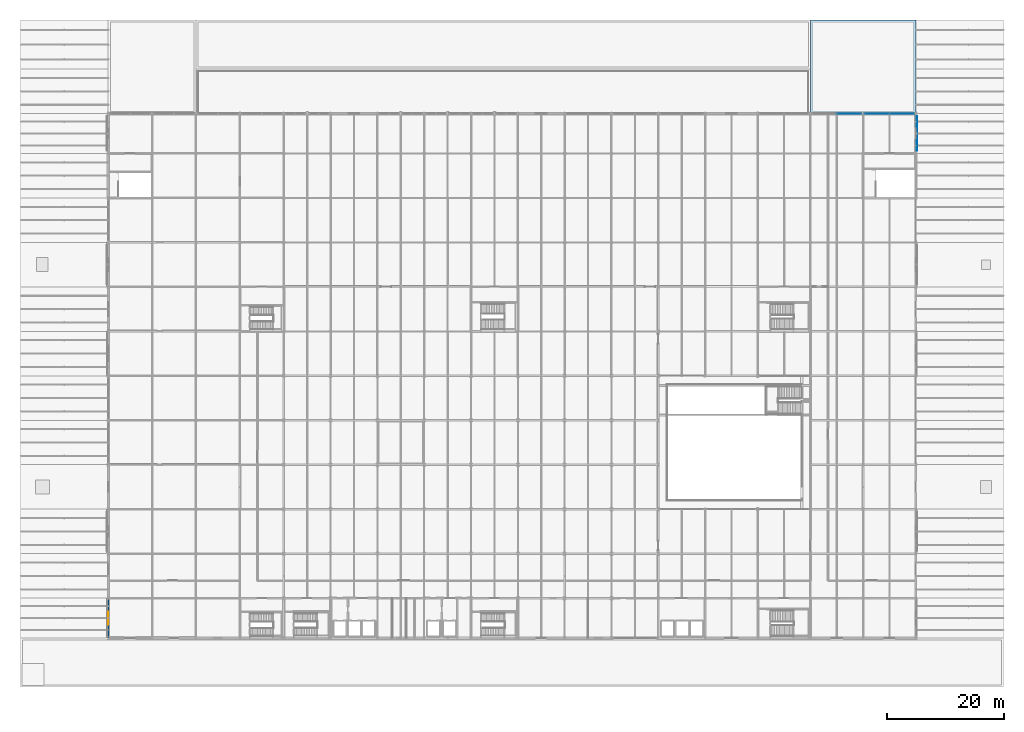
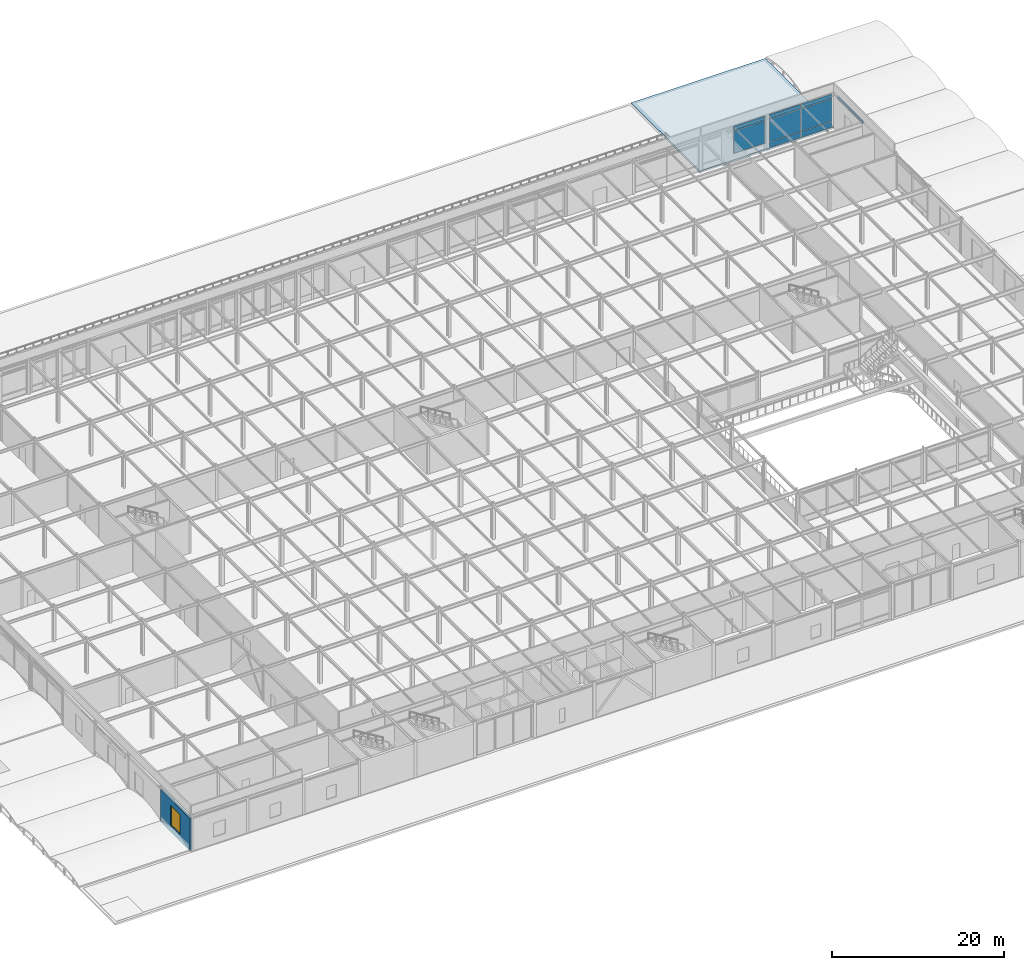
# One storey, part 92 of 113: 9 plates, 1 slab, 1 wall, 1 window, 1 opening, 2 elements without a shape of their own.
"""IFC4 building model written with IfcOpenShell, lengths in metres."""

from ifc_helpers import new_model, si_unit, direction, frame, frame_2d, origin, origin_2d, place, context, subcontext, project, spatial, polyline, rectangle, outline, extrude, material, layer, layer_set, type_object, element, fill, aggregate, save


model = new_model("IFC4")

# Units and contexts
model_context = context("Model", 3, precision=1e-05, world=origin(), true_north=direction((0.0, 1.0)))
body_context = subcontext(model_context, "Body", "Model", "MODEL_VIEW")
ifc_project = project(units=[si_unit("LENGTHUNIT", "METRE"), si_unit("AREAUNIT", "SQUARE_METRE"), si_unit("VOLUMEUNIT", "CUBIC_METRE"), si_unit("PLANEANGLEUNIT", "RADIAN"), si_unit("MASSUNIT", "GRAM", prefix="KILO")], contexts=[model_context])

# Site, building, storey
site_placement = place(None, origin())
site = spatial("IfcSite", under=ifc_project, at=site_placement, CompositionType="ELEMENT")
building_placement = place(site_placement, origin())
building = spatial("IfcBuilding", under=site, at=building_placement, Name="Shalkamar Park Central Library", CompositionType="ELEMENT")
storey_placement = place(building_placement, frame((0.0, 0.0, 5.39990234375)))
storey = spatial("IfcBuildingStorey", under=building, at=storey_placement, Name="L02", CompositionType="ELEMENT", Elevation=5.39990234375)

# Slab
ifc_material_1 = material(Name="Concrete C35/45", Category="concrete")
ifc_layer_1 = layer(ifc_material_1, 0.25)
ifc_layer_set_1 = layer_set([ifc_layer_1], Name="Concrete C35/45")
slab_type = type_object("IfcSlabType", Name="Flat Roof Slab 140", PredefinedType="ROOF", material=ifc_layer_set_1)
slab_placement = place(storey_placement, frame((0.0, 0.0, -0.25)))
element("IfcSlab", 1, at=slab_placement, inside=storey, type_object=slab_type, Name="Flat Roof Slab RF-L01-NE", PredefinedType="ROOF", context=body_context, shape_type="SweptSolid", body=[
    extrude(outline(polyline([(255.0, 338.0), (273.0, 338.0), (273.0, 354.0), (255.0, 354.0), (255.0, 338.0)])), origin(), (0.0, 0.0, 1.0), 0.25),
])

# Plate
ifc_material_2 = material(Name="Anodized bronze stepped frieze plate", Category="aluminium")
ifc_layer_2 = layer(ifc_material_2, 0.139892578125)
ifc_layer_set_2 = layer_set([ifc_layer_2], Name="PostmodernKeystoneFriezePlate_140")
plate_type_1 = type_object("IfcPlateType", Name="Postmodern Keystone Frieze Plate 140", PredefinedType="USERDEFINED", material=ifc_layer_set_2)
plate_1_placement = place(storey_placement, frame((273.2099609375, 334.60009765625, 4.16796875), z_axis=(0.0, 0.0, 1.0), x_axis=(1.0, 0.0, 0.0)))
element("IfcPlate", 2, at=plate_1_placement, inside=storey, type_object=plate_type_1, Name="Bronze Spandrel Frieze Plate L02-034", ObjectType="CLADDING", PredefinedType="USERDEFINED", context=body_context, shape_type="SweptSolid", body=[
    extrude(rectangle(XDim=0.139892578125, YDim=5.827880859375, at=origin_2d()), origin(), (0.0, 0.0, 1.0), 0.449951171875),
])

# Curtain wall, plates
ifc_material_3 = material(Name="Thermally broken aluminium and triple low-e curtain wall", Category="aluminium")
ifc_layer_3 = layer(ifc_material_3, 0.260009765625)
ifc_layer_set_3 = layer_set([ifc_layer_3], Name="UnitisedCurtainWall_34")
curtain_wall_type_1 = type_object("IfcCurtainWallType", Name="Unitised Curtain Wall 34", PredefinedType="USERDEFINED", material=ifc_layer_set_3)
curtain_wall_1_placement = place(storey_placement, origin())
curtain_wall_1 = element("IfcCurtainWall", 3, at=curtain_wall_1_placement, inside=storey, type_object=curtain_wall_type_1, Name="Unitised Curtain Wall CW-L02-038", ObjectType="UNITISED CURTAIN WALL", PredefinedType="USERDEFINED")
ifc_material_4 = material(Name="Triple-glazed solar-control glass", Category="glass")
ifc_layer_4 = layer(ifc_material_4, 0.031982421875)
ifc_layer_set_4 = layer_set([ifc_layer_4], Name="SolarControlVisionPanel_32")
plate_type_2 = type_object("IfcPlateType", Name="Solar Control Vision Panel 32", PredefinedType="CURTAIN_PANEL", material=ifc_layer_set_4)
plate_2_placement = place(storey_placement, frame((261.610595703125, 338.0, 0.93017578125), z_axis=(0.0, 0.0, 1.0), x_axis=(1.0, 0.0, 0.0)))
plate_2 = element("IfcPlate", 4, at=plate_2_placement, type_object=plate_type_2, Name="CW-34 panel 2.2", PredefinedType="CURTAIN_PANEL", context=body_context, shape_type="SweptSolid", body=[
    extrude(rectangle(XDim=4.1708984375, YDim=0.031982421875, at=origin_2d()), origin(), (0.0, 0.0, 1.0), 3.139892578125),
])
plate_3_placement = place(storey_placement, frame((261.610595703125, 338.0, 4.13037109375), z_axis=(0.0, 0.0, 1.0), x_axis=(1.0, 0.0, 0.0)))
plate_3 = element("IfcPlate", 5, at=plate_3_placement, type_object=plate_type_2, Name="CW-34 panel 2.3", PredefinedType="CURTAIN_PANEL", context=body_context, shape_type="SweptSolid", body=[
    extrude(rectangle(XDim=4.1708984375, YDim=0.031982421875, at=origin_2d()), origin(), (0.0, 0.0, 1.0), 0.659912109375),
])
aggregate(curtain_wall_1, [plate_2, plate_3])

ifc_layer_5 = layer(ifc_material_3, 0.2548828125)
ifc_layer_set_5 = layer_set([ifc_layer_5], Name="UnitisedCurtainWall_35")
curtain_wall_type_2 = type_object("IfcCurtainWallType", Name="Unitised Curtain Wall 35", PredefinedType="USERDEFINED", material=ifc_layer_set_5)
curtain_wall_2_placement = place(storey_placement, origin())
curtain_wall_2 = element("IfcCurtainWall", 6, at=curtain_wall_2_placement, inside=storey, type_object=curtain_wall_type_2, Name="Unitised Curtain Wall CW-L02-039", ObjectType="UNITISED CURTAIN WALL", PredefinedType="USERDEFINED")
ifc_material_5 = material(Name="Triple-glazed low-e safety glass", Category="glass")
ifc_layer_6 = layer(ifc_material_5, 0.0439453125)
ifc_layer_set_6 = layer_set([ifc_layer_6], Name="TripleGlazedVisionPanel_44")
plate_type_3 = type_object("IfcPlateType", Name="Triple Glazed Vision Panel 44", PredefinedType="CURTAIN_PANEL", material=ifc_layer_set_6)
plate_4_placement = place(storey_placement, frame((266.390869140625, 338.0, 0.06494140625), z_axis=(0.0, 0.0, 1.0), x_axis=(1.0, 0.0, 0.0)))
plate_4 = element("IfcPlate", 7, at=plate_4_placement, type_object=plate_type_3, Name="CW-35 panel 1.1", PredefinedType="CURTAIN_PANEL", context=body_context, shape_type="SweptSolid", body=[
    extrude(rectangle(XDim=4.16357421875, YDim=0.0439453125, at=origin_2d()), origin(), (0.0, 0.0, 1.0), 0.802490234375),
])
plate_5_placement = place(storey_placement, frame((266.390869140625, 338.0, 0.9326171875), z_axis=(0.0, 0.0, 1.0), x_axis=(1.0, 0.0, 0.0)))
plate_5 = element("IfcPlate", 8, at=plate_5_placement, type_object=plate_type_3, Name="CW-35 panel 1.2", PredefinedType="CURTAIN_PANEL", context=body_context, shape_type="SweptSolid", body=[
    extrude(rectangle(XDim=4.16357421875, YDim=0.0439453125, at=origin_2d()), origin(), (0.0, 0.0, 1.0), 3.135009765625),
])
plate_6_placement = place(storey_placement, frame((266.390869140625, 338.0, 4.13232421875), z_axis=(0.0, 0.0, 1.0), x_axis=(1.0, 0.0, 0.0)))
plate_6 = element("IfcPlate", 9, at=plate_6_placement, type_object=plate_type_3, Name="CW-35 panel 1.3", PredefinedType="CURTAIN_PANEL", context=body_context, shape_type="SweptSolid", body=[
    extrude(rectangle(XDim=4.16357421875, YDim=0.0439453125, at=origin_2d()), origin(), (0.0, 0.0, 1.0), 0.652587890625),
])
plate_7_placement = place(storey_placement, frame((270.63427734375, 338.0, 0.06494140625), z_axis=(0.0, 0.0, 1.0), x_axis=(1.0, 0.0, 0.0)))
plate_7 = element("IfcPlate", 10, at=plate_7_placement, type_object=plate_type_3, Name="CW-35 panel 2.1", PredefinedType="CURTAIN_PANEL", context=body_context, shape_type="SweptSolid", body=[
    extrude(rectangle(XDim=4.16357421875, YDim=0.0439453125, at=origin_2d()), origin(), (0.0, 0.0, 1.0), 0.802490234375),
])
plate_8_placement = place(storey_placement, frame((270.63427734375, 338.0, 0.9326171875), z_axis=(0.0, 0.0, 1.0), x_axis=(1.0, 0.0, 0.0)))
plate_8 = element("IfcPlate", 11, at=plate_8_placement, type_object=plate_type_3, Name="CW-35 panel 2.2", PredefinedType="CURTAIN_PANEL", context=body_context, shape_type="SweptSolid", body=[
    extrude(rectangle(XDim=4.16357421875, YDim=0.0439453125, at=origin_2d()), origin(), (0.0, 0.0, 1.0), 3.135009765625),
])
plate_9_placement = place(storey_placement, frame((270.63427734375, 338.0, 4.13232421875), z_axis=(0.0, 0.0, 1.0), x_axis=(1.0, 0.0, 0.0)))
plate_9 = element("IfcPlate", 12, at=plate_9_placement, type_object=plate_type_3, Name="CW-35 panel 2.3", PredefinedType="CURTAIN_PANEL", context=body_context, shape_type="SweptSolid", body=[
    extrude(rectangle(XDim=4.16357421875, YDim=0.0439453125, at=origin_2d()), origin(), (0.0, 0.0, 1.0), 0.652587890625),
])
aggregate(curtain_wall_2, [plate_4, plate_5, plate_6, plate_7, plate_8, plate_9])

# Wall, opening, window
ifc_material_6 = material(Name="Travertine insulated rainscreen", Category="masonry")
ifc_layer_7 = layer(ifc_material_6, 0.2900390625)
ifc_layer_set_7 = layer_set([ifc_layer_7], Name="TravertineTerracottaWall_290")
wall_type = type_object("IfcWallType", Name="Travertine Terracotta Wall 290", PredefinedType="SOLIDWALL", material=ifc_layer_set_7)
wall_placement = place(storey_placement, frame((135.0, 248.406005859375, 0.0), z_axis=(0.0, 0.0, 1.0), x_axis=(0.0, 1.0, 0.0)))
wall = element("IfcWall", 13, at=wall_placement, inside=storey, type_object=wall_type, Name="Exterior Facade Wall WL-EXT-L02-068", PredefinedType="SOLIDWALL", context=body_context, shape_type="SweptSolid", body=[
    extrude(rectangle(XDim=6.7880859375, YDim=0.2900390625, at=frame_2d((3.39404296875, 0.0))), origin(), (0.0, 0.0, 1.0), 4.6181640625),
])
opening_placement = place(wall_placement, frame((2.2939453125, 0.0, 0.949951171875)))
opening = element("IfcOpeningElement", 14, at=opening_placement, cuts=wall, Name="Opening WN-04", PredefinedType="OPENING", context=body_context, shape_type="SweptSolid", body=[
    extrude(rectangle(XDim=2.199951171875, YDim=2.800048828125, at=frame_2d((1.10009765625, 1.39990234375))), frame((0.0, 0.159912109375, 0.0), z_axis=(0.0, -1.0, 0.0), x_axis=(1.0, 0.0, 0.0)), (0.0, 0.0, 1.0), 0.31982421875),
])
ifc_material_7 = material(Name="Thermally broken aluminium and triple low-e glass", Category="glass")
window_type = type_object("IfcWindowType", Name="Podium Window 2200x2800", PartitioningType="DOUBLE_PANEL_VERTICAL", PredefinedType="WINDOW", material=ifc_material_7)
window_placement = place(opening_placement, origin())
window = element("IfcWindow", 15, at=window_placement, inside=storey, type_object=window_type, Name="Facade Window WN-L02-033", OverallHeight=2.800048828125, OverallWidth=2.199951171875, PartitioningType="DOUBLE_PANEL_VERTICAL", PredefinedType="WINDOW", context=body_context, shape_type="SweptSolid", body=[
    extrude(rectangle(XDim=2.199951171875, YDim=2.800048828125, at=frame_2d((1.10009765625, 1.39990234375))), frame((0.0, 0.030029296875, 0.0), z_axis=(0.0, -1.0, 0.0), x_axis=(1.0, 0.0, 0.0)), (0.0, 0.0, 1.0), 0.06005859375),
])
fill(opening, window)

save(model, "model.ifc")
